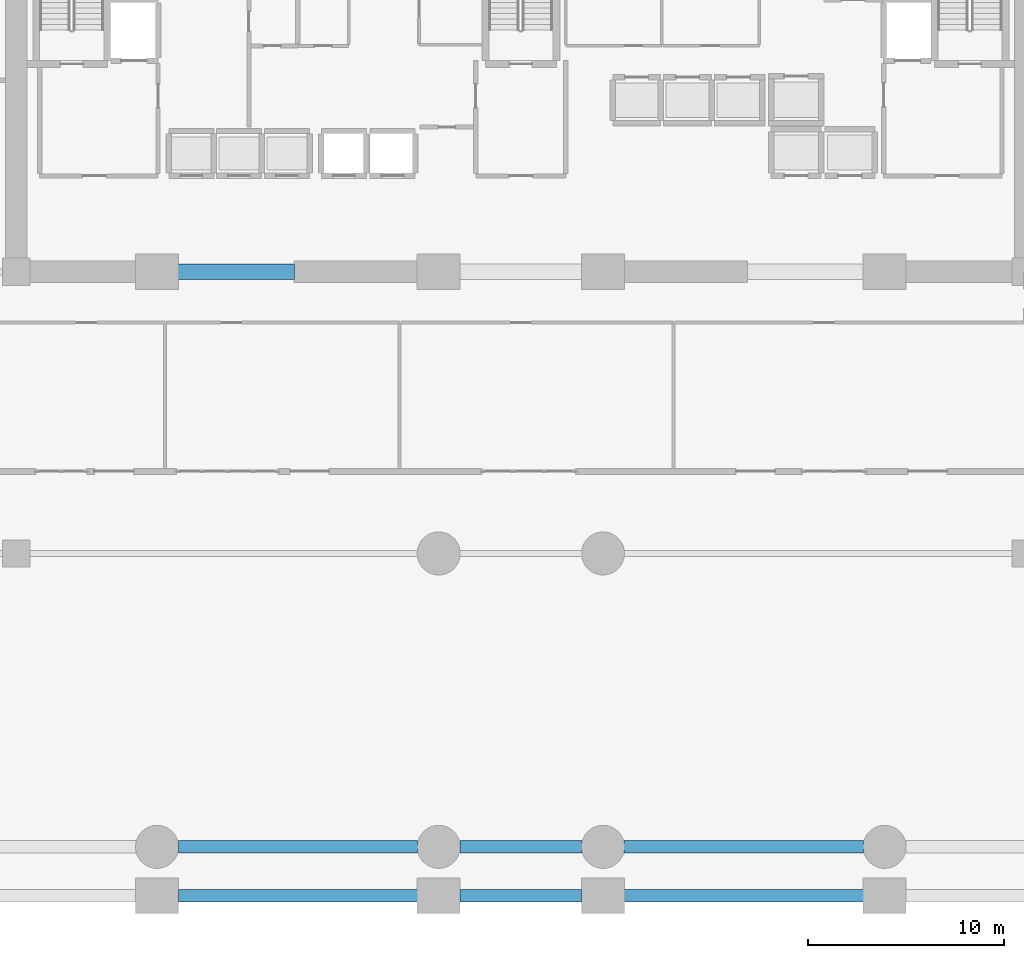
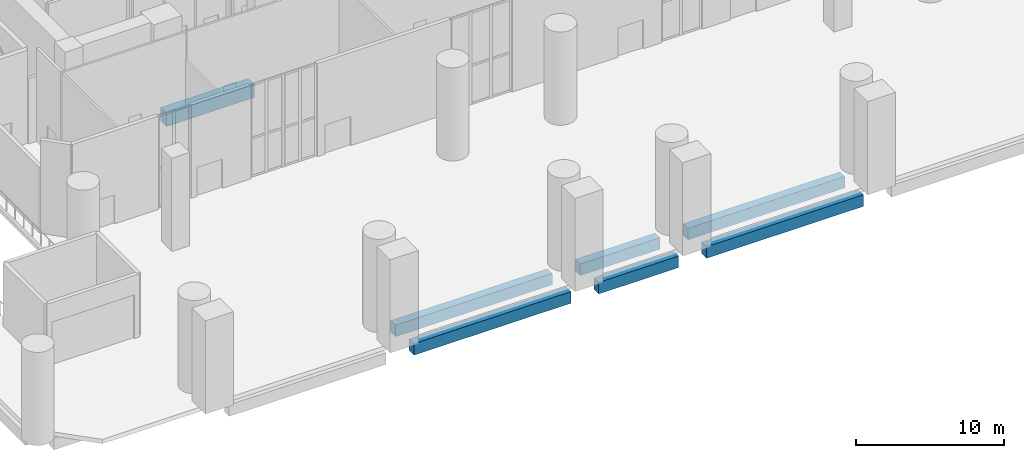
# One storey, part 3 of 17: 7 beams.
"""IFC4 building model written with IfcOpenShell, lengths in metres."""

from ifc_helpers import new_model, si_unit, direction, frame, origin, origin_2d, place, context, subcontext, project, spatial, rectangle, extrude, material, material_profile, profile_set, type_object, element, save


model = new_model("IFC4")

# Units and contexts
model_context = context("Model", 3, precision=1e-05, world=origin(), true_north=direction((0.0, 1.0)))
body_context = subcontext(model_context, "Body", "Model", "MODEL_VIEW")
ifc_project = project(units=[si_unit("LENGTHUNIT", "METRE"), si_unit("AREAUNIT", "SQUARE_METRE"), si_unit("VOLUMEUNIT", "CUBIC_METRE"), si_unit("PLANEANGLEUNIT", "RADIAN"), si_unit("MASSUNIT", "GRAM", prefix="KILO")], contexts=[model_context])

# Site, building, storey
site_placement = place(None, origin())
site = spatial("IfcSite", under=ifc_project, at=site_placement, CompositionType="ELEMENT")
building_placement = place(site_placement, origin())
building = spatial("IfcBuilding", under=site, at=building_placement, Name="Kaelvorn Grand Hotel", CompositionType="ELEMENT")
storey_placement = place(building_placement, origin())
storey = spatial("IfcBuildingStorey", under=building, at=storey_placement, Name="L00", CompositionType="ELEMENT", Elevation=0.0)

# Beams
ifc_material = material(Name="Concrete C60/75", Category="concrete")
ifc_material_profile_1 = material_profile(ifc_material, rectangle(XDim=0.800048828125, YDim=1.10009765625, at=origin_2d()), Name="RC LINTEL 800x1100")
ifc_profile_set_1 = profile_set([ifc_material_profile_1], Name="Concrete C60/75")
beam_type_1 = type_object("IfcBeamType", Name="BM-LIN-800x1100-C60", PredefinedType="LINTEL", material=ifc_profile_set_1)
beam_1_placement = place(storey_placement, frame((23.580078125, 29.39990234375, -0.89990234375), z_axis=(1.0, 0.0, 0.0), x_axis=(0.0, 1.0, 0.0)))
element("IfcBeam", 1, at=beam_1_placement, inside=storey, type_object=beam_type_1, Name="L00 Rear-Core Coupling Lintel Beam CB1-01", PredefinedType="LINTEL", context=body_context, shape_type="SweptSolid", body=[
    extrude(rectangle(XDim=0.800048828125, YDim=1.10009765625, at=origin_2d()), origin(), (0.0, 0.0, 1.0), 6.83984375),
])
ifc_material_profile_2 = material_profile(ifc_material, rectangle(XDim=0.64990234375, YDim=0.949951171875, at=origin_2d()), Name="RC SPANDREL 650x950")
ifc_profile_set_2 = profile_set([ifc_material_profile_2], Name="Concrete C60/75")
beam_type_2 = type_object("IfcBeamType", Name="BM-SP-650x950-C60", PredefinedType="SPANDREL", material=ifc_profile_set_2)
beam_2_placement = place(storey_placement, frame((24.485107421875, 0.0, -0.824951171875), z_axis=(1.0, 0.0, 0.0), x_axis=(0.0, 1.0, 0.0)))
element("IfcBeam", 2, at=beam_2_placement, inside=storey, type_object=beam_type_2, Name="L00 South Perimeter Spandrel 03", PredefinedType="SPANDREL", context=body_context, shape_type="SweptSolid", body=[
    extrude(rectangle(XDim=0.64990234375, YDim=0.949951171875, at=origin_2d()), origin(), (0.0, 0.0, 1.0), 12.22998046875),
])
beam_3_placement = place(storey_placement, frame((38.885009765625, 0.0, -0.824951171875), z_axis=(1.0, 0.0, 0.0), x_axis=(0.0, 1.0, 0.0)))
element("IfcBeam", 3, at=beam_3_placement, inside=storey, type_object=beam_type_2, Name="L00 South Perimeter Spandrel 04", PredefinedType="SPANDREL", context=body_context, shape_type="SweptSolid", body=[
    extrude(rectangle(XDim=0.64990234375, YDim=0.949951171875, at=origin_2d()), origin(), (0.0, 0.0, 1.0), 6.22998046875),
])
for number, where, z_axis, x_axis, name in (
    (4, (47.284912109375, 0.0, -0.824951171875), (1.0, 0.0, 0.0), (0.0, 1.0, 0.0), "L00 South Perimeter Spandrel 05"),
    (5, (24.485107421875, -2.5, -0.824951171875), (1.0, 0.0, 0.0), (0.0, 1.0, 0.0), "L00 South Plinth Spandrel 02"),
):
    element("IfcBeam", number, at=place(storey_placement, frame(where, z_axis=z_axis, x_axis=x_axis)), inside=storey, type_object=beam_type_2, Name=name, PredefinedType="SPANDREL", context=body_context, shape_type="SweptSolid", body=[
        extrude(rectangle(XDim=0.64990234375, YDim=0.949951171875, at=origin_2d()), origin(), (0.0, 0.0, 1.0), 12.22998046875),
    ])
beam_4_placement = place(storey_placement, frame((38.885009765625, -2.5, -0.824951171875), z_axis=(1.0, 0.0, 0.0), x_axis=(0.0, 1.0, 0.0)))
element("IfcBeam", 6, at=beam_4_placement, inside=storey, type_object=beam_type_2, Name="L00 South Plinth Spandrel 03", PredefinedType="SPANDREL", context=body_context, shape_type="SweptSolid", body=[
    extrude(rectangle(XDim=0.64990234375, YDim=0.949951171875, at=origin_2d()), origin(), (0.0, 0.0, 1.0), 6.22998046875),
])
beam_5_placement = place(storey_placement, frame((47.284912109375, -2.5, -0.824951171875), z_axis=(1.0, 0.0, 0.0), x_axis=(0.0, 1.0, 0.0)))
element("IfcBeam", 7, at=beam_5_placement, inside=storey, type_object=beam_type_2, Name="L00 South Plinth Spandrel 04", PredefinedType="SPANDREL", context=body_context, shape_type="SweptSolid", body=[
    extrude(rectangle(XDim=0.64990234375, YDim=0.949951171875, at=origin_2d()), origin(), (0.0, 0.0, 1.0), 12.22998046875),
])

save(model, "model.ifc")
